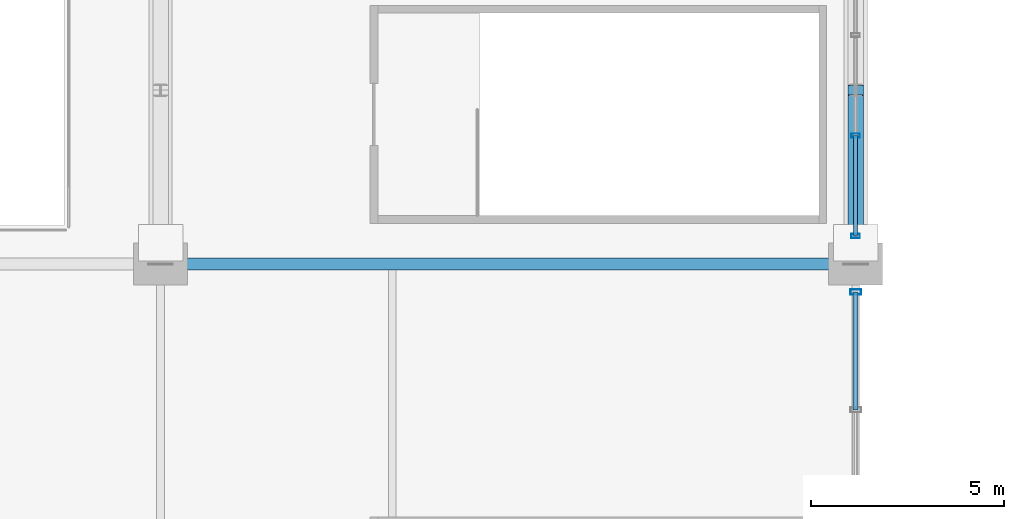
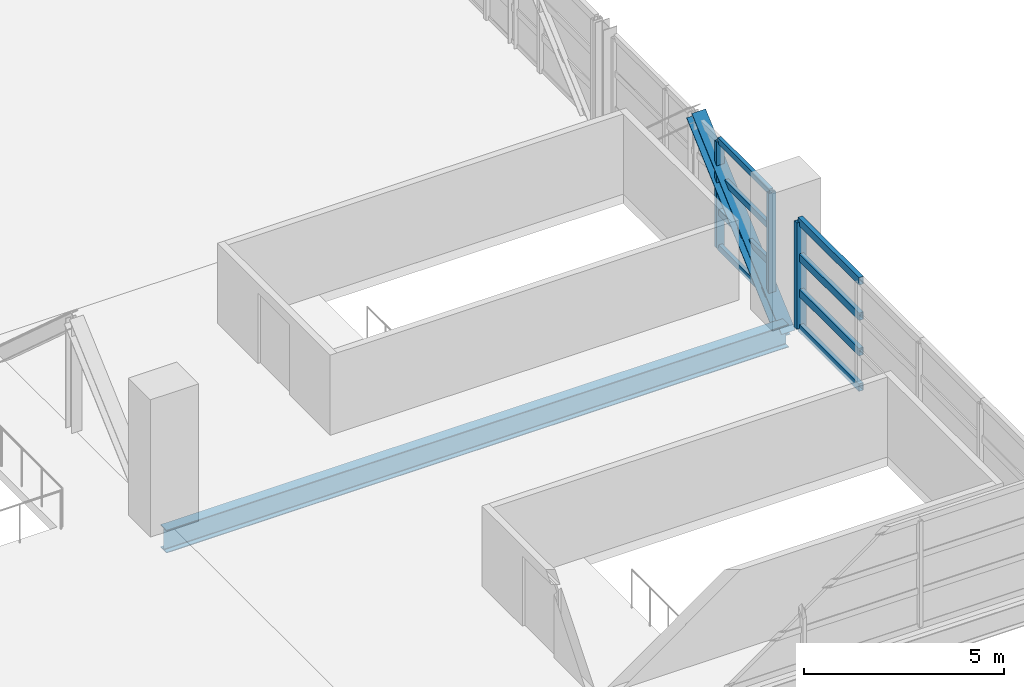
# One storey, part 41 of 136: 12 members, 1 beam, 2 elements without a shape of their own.
"""IFC4 building model written with IfcOpenShell, lengths in metres."""

import ifcopenshell
import ifcopenshell.guid

model = None  # the IFC model being written
_history = None  # IfcOwnerHistory: only IFC2X3 demands one
_inside = {}  # id of a spatial element -> (the spatial element, [elements in it])
_under = {}  # id of a project, library or spatial element -> (it, [spatial elements below it])
_declared = {}  # id of a project -> (the project, [libraries it declares])
_typed = {}  # id of a type object -> (the type object, [elements of that type])
_made_of = {}  # id of a material, layer set ... -> (it, [elements and type objects made of it])


def new_model(schema):
    """Start an empty IFC model of exactly this schema.

    Asked for "IFC4X3", IfcOpenShell would pick the latest addendum, in which some entities
    have other attributes; the version numbers below select the first issue.
    IFC2X3 requires an IfcOwnerHistory on every rooted entity: one is made here for all.
    """
    global model, _history
    if schema == "IFC4X3":
        model = ifcopenshell.file(schema_version=(4, 3, 0, 0))
    else:
        model = ifcopenshell.file(schema=schema)
    _inside.clear()
    _under.clear()
    _declared.clear()
    _typed.clear()
    _made_of.clear()
    _history = None
    if model.schema == "IFC2X3":
        org = make("IfcOrganization", Name="unknown")
        user = make(
            "IfcPersonAndOrganization",
            ThePerson=make("IfcPerson", FamilyName="unknown"),
            TheOrganization=org,
        )
        app = make(
            "IfcApplication",
            ApplicationDeveloper=org,
            Version="unknown",
            ApplicationFullName="unknown",
            ApplicationIdentifier="unknown",
        )
        _history = make(
            "IfcOwnerHistory",
            OwningUser=user,
            OwningApplication=app,
            ChangeAction="ADDED",
            CreationDate=0,
        )
    return model


def make(cls, **values):
    """One entity of the class cls with the attributes given. An attribute that is None is left unset."""
    return model.create_entity(
        cls, **{name: value for name, value in values.items() if value is not None}
    )


def rooted(cls, **values):
    """An entity with a GlobalId (a new one), such as an element, a storey or a relation."""
    return make(cls, GlobalId=ifcopenshell.guid.new(), OwnerHistory=_history, **values)


def si_unit(unit_type, name, prefix=None):
    """IfcSIUnit, for example si_unit("LENGTHUNIT", "METRE", prefix="MILLI")."""
    return make("IfcSIUnit", UnitType=unit_type, Prefix=prefix, Name=name)


def assignment(units):
    """IfcUnitAssignment: the units of a project."""
    return None if units is None else make("IfcUnitAssignment", Units=units)


def point(xyz):
    """IfcCartesianPoint."""
    return None if xyz is None else make("IfcCartesianPoint", Coordinates=xyz)


def direction(xyz):
    """IfcDirection."""
    return None if xyz is None else make("IfcDirection", DirectionRatios=xyz)


def frame(location, z_axis=None, x_axis=None):
    """IfcAxis2Placement3D, a coordinate frame: its origin and axes. An axis left out is left unset."""
    return make(
        "IfcAxis2Placement3D",
        Location=point(location),
        Axis=direction(z_axis),
        RefDirection=direction(x_axis),
    )


def frame_2d(location, x_axis=None):
    """IfcAxis2Placement2D, a coordinate frame in the plane: its origin and x axis."""
    return make(
        "IfcAxis2Placement2D", Location=point(location), RefDirection=direction(x_axis)
    )


def origin():
    """The frame at (0, 0, 0) with its axes left unset."""
    return frame((0.0, 0.0, 0.0))


def origin_2d():
    """The frame at (0, 0) in the plane with its x axis left unset."""
    return frame_2d((0.0, 0.0))


def place(relative_to, where):
    """IfcLocalPlacement: puts the frame where relative to a parent placement (None: the world)."""
    return make(
        "IfcLocalPlacement", PlacementRelTo=relative_to, RelativePlacement=where
    )


def context(
    kind, dimensions, precision=None, world=None, true_north=None, identifier=None
):
    """IfcGeometricRepresentationContext, for example the 3D "Model" context."""
    return make(
        "IfcGeometricRepresentationContext",
        ContextIdentifier=identifier,
        ContextType=kind,
        CoordinateSpaceDimension=dimensions,
        Precision=precision,
        WorldCoordinateSystem=world,
        TrueNorth=true_north,
    )


def subcontext(parent, identifier, kind, view, scale=None):
    """IfcGeometricRepresentationSubContext, for example "Body" below "Model"."""
    return make(
        "IfcGeometricRepresentationSubContext",
        ContextIdentifier=identifier,
        ContextType=kind,
        ParentContext=parent,
        TargetScale=scale,
        TargetView=view,
    )


def project(units=None, contexts=None):
    """IfcProject with its units and contexts."""
    return rooted(
        "IfcProject",
        Name="project",
        RepresentationContexts=contexts,
        UnitsInContext=assignment(units),
    )


def spatial(cls, under=None, at=None, **own):
    """A site, building, storey or space (cls), placed at a placement, below another one or the project."""
    s = rooted(cls, ObjectPlacement=at, **own)
    if under is not None:
        _under.setdefault(under.id(), (under, []))[1].append(s)
    return s


def profile(cls, at=None, kind="AREA", **sizes):
    """A parametric profile (cls). Its sizes go by their IFC names, for example OverallWidth=200.0."""
    return make(cls, ProfileType=kind, Position=at, **sizes)


def hollow_rectangle(**sizes):
    """IfcRectangleHollowProfileDef."""
    return profile("IfcRectangleHollowProfileDef", **sizes)


def i_section(**sizes):
    """IfcIShapeProfileDef."""
    return profile("IfcIShapeProfileDef", **sizes)


def extrude(swept, where, along, depth):
    """IfcExtrudedAreaSolid: the profile swept, set in the frame where, extruded along a direction by depth."""
    return make(
        "IfcExtrudedAreaSolid",
        SweptArea=swept,
        Position=where,
        ExtrudedDirection=direction(along),
        Depth=depth,
    )


def shape(context_of_items, identifier, shape_type, items):
    """IfcShapeRepresentation: the items that make up one representation, for example the "Body"."""
    return make(
        "IfcShapeRepresentation",
        ContextOfItems=context_of_items,
        RepresentationIdentifier=identifier,
        RepresentationType=shape_type,
        Items=items,
    )


def material(Name=None, Category=None):
    """IfcMaterial."""
    return make("IfcMaterial", Name=Name, Category=Category)


def material_profile(
    of_material, cross_section, Name=None, Category=None, Priority=None
):
    """IfcMaterialProfile: a cross section and its material."""
    return make(
        "IfcMaterialProfile",
        Name=Name,
        Material=of_material,
        Profile=cross_section,
        Priority=Priority,
        Category=Category,
    )


def profile_set(profiles, Name=None, composite=None):
    """IfcMaterialProfileSet."""
    return make(
        "IfcMaterialProfileSet",
        Name=Name,
        MaterialProfiles=profiles,
        CompositeProfile=composite,
    )


def made_of(thing, what):
    """Note that an element or type object is made of a material, layer set ...; save() writes the relation."""
    if what is not None:
        _made_of.setdefault(what.id(), (what, []))[1].append(thing)
    return thing


def type_object(cls, material=None, **own):
    """A type object (cls), such as IfcWallType, which elements share."""
    return made_of(rooted(cls, **own), material)


def element(
    cls,
    number,
    at=None,
    inside=None,
    cuts=None,
    type_object=None,
    material=None,
    context=None,
    identifier="Body",
    shape_type=None,
    held_by="IfcProductDefinitionShape",
    body=None,
    shapes=None,
    **own,
):
    """One element of the class cls, such as IfcWall. Its Tag is "e" and its number.

    at: its placement. inside: the storey or other place that contains it. cuts: it is an
    opening in that element (IfcRelVoidsElement). A single representation is given by context,
    identifier, shape_type and body (its items); several are given by shapes. held_by: the class
    of the entity that holds the representations. save() writes the other relations.
    """
    e = rooted(cls, Tag="e%d" % number, ObjectPlacement=at, **own)
    if body is not None:
        shapes = [shape(context, identifier, shape_type, body)]
    if shapes is not None:
        e.Representation = make(held_by, Representations=shapes)
    if inside is not None:
        _inside.setdefault(inside.id(), (inside, []))[1].append(e)
    if cuts is not None:
        rooted(
            "IfcRelVoidsElement", RelatingBuildingElement=cuts, RelatedOpeningElement=e
        )
    if type_object is not None:
        _typed.setdefault(type_object.id(), (type_object, []))[1].append(e)
    return made_of(e, material)


def aggregate(whole, parts):
    """IfcRelAggregates: a whole, such as a stair, and the parts it consists of."""
    return rooted("IfcRelAggregates", RelatingObject=whole, RelatedObjects=parts)


def save(model, path):
    """Write the relations noted so far, then the file.

    IfcRelAggregates (storeys below a building ...), IfcRelContainedInSpatialStructure (elements
    in a storey), IfcRelDefinesByType, IfcRelAssociatesMaterial and IfcRelDeclares: one each for
    every whole, place, type object, material and project.
    """
    for whole, parts in _under.values():
        aggregate(whole, parts)
    for where, things in _inside.values():
        rooted(
            "IfcRelContainedInSpatialStructure",
            RelatedElements=things,
            RelatingStructure=where,
        )
    for kind, things in _typed.values():
        rooted("IfcRelDefinesByType", RelatedObjects=things, RelatingType=kind)
    for what, things in _made_of.values():
        rooted("IfcRelAssociatesMaterial", RelatedObjects=things, RelatingMaterial=what)
    for by, libraries in _declared.values():
        rooted("IfcRelDeclares", RelatingContext=by, RelatedDefinitions=libraries)
    model.write(path)


model = new_model("IFC4")

# Units and contexts
model_context = context("Model", 3, precision=1e-05, world=origin(), true_north=direction((0.0, 1.0)))
body_context = subcontext(model_context, "Body", "Model", "MODEL_VIEW")
ifc_project = project(units=[si_unit("LENGTHUNIT", "METRE"), si_unit("AREAUNIT", "SQUARE_METRE"), si_unit("VOLUMEUNIT", "CUBIC_METRE"), si_unit("PLANEANGLEUNIT", "RADIAN"), si_unit("MASSUNIT", "GRAM", prefix="KILO")], contexts=[model_context])

# Site, building, storey
site_placement = place(None, origin())
site = spatial("IfcSite", under=ifc_project, at=site_placement, CompositionType="ELEMENT")
building_placement = place(site_placement, origin())
building = spatial("IfcBuilding", under=site, at=building_placement, Name="Chuanluo Vaults Station", CompositionType="ELEMENT")
storey_placement = place(building_placement, frame((0.0, 0.0, 6.60009765625)))
storey = spatial("IfcBuildingStorey", under=building, at=storey_placement, Name="L01", CompositionType="ELEMENT", Elevation=6.60009765625)

# Beam
ifc_material_1 = material(Name="Steel Q355C", Category="steel")
ifc_material_profile_1 = material_profile(ifc_material_1, i_section(OverallWidth=0.300048828125, OverallDepth=0.699951171875, WebThickness=0.012939453125, FlangeThickness=0.02392578125, FilletRadius=0.02197265625, at=origin_2d()))
ifc_profile_set_1 = profile_set([ifc_material_profile_1], Name="Steel Q355C")
beam_type = type_object("IfcBeamType", Name="BM-GRD-700", PredefinedType="USERDEFINED", material=ifc_profile_set_1)
beam_placement = place(storey_placement, frame((90.0, 67.5, -0.630126953125), z_axis=(1.0, 0.0, 0.0), x_axis=(0.0, 1.0, 0.0)))
element("IfcBeam", 1, at=beam_placement, inside=storey, type_object=beam_type, Name="Floor girder BM:GX:L01:0338", ObjectType="GIRDER", PredefinedType="USERDEFINED", context=body_context, shape_type="SweptSolid", body=[
    extrude(i_section(OverallWidth=0.300048828125, OverallDepth=0.699951171875, WebThickness=0.012939453125, FlangeThickness=0.02392578125, FilletRadius=0.02197265625, at=origin_2d()), origin(), (0.0, 0.0, 1.0), 18.0),
])

# Curtain wall, members
ifc_material_2 = material(Name="Anodised aluminium 6063-T6", Category="aluminium")
curtain_wall_type_1 = type_object("IfcCurtainWallType", Name="CW-SYS-24", PredefinedType="NOTDEFINED", material=ifc_material_2)
curtain_wall_1_placement = place(storey_placement, origin())
curtain_wall_1 = element("IfcCurtainWall", 2, at=curtain_wall_1_placement, inside=storey, type_object=curtain_wall_type_1, Name="Over-track east hall CW 67", PredefinedType="NOTDEFINED")
ifc_material_3 = material(Name="Anodised aluminium 6063-T6", Category="aluminium")
ifc_material_profile_2 = material_profile(ifc_material_3, hollow_rectangle(XDim=0.10498046875, YDim=0.219970703125, WallThickness=0.006103515625, at=origin_2d()))
ifc_profile_set_2 = profile_set([ifc_material_profile_2], Name="Anodised aluminium 6063-T6")
member_type_1 = type_object("IfcMemberType", Name="CWM-140", PredefinedType="MULLION", material=ifc_profile_set_2)
member_1_placement = place(storey_placement, frame((108.0, 70.824951171875, 0.0), z_axis=(0.0, 0.0, 1.0), x_axis=(0.0, -1.0, 0.0)))
member_1 = element("IfcMember", 3, at=member_1_placement, type_object=member_type_1, Name="Over-track east hall CW 67 mullion 3", PredefinedType="MULLION", context=body_context, shape_type="SweptSolid", body=[
    extrude(hollow_rectangle(XDim=0.10498046875, YDim=0.219970703125, WallThickness=0.006103515625, at=origin_2d()), origin(), (0.0, 0.0, 1.0), 3.25),
])
member_2_placement = place(storey_placement, frame((108.0, 68.22509765625, 0.0), z_axis=(0.0, 0.0, 1.0), x_axis=(0.0, -1.0, 0.0)))
member_2 = element("IfcMember", 4, at=member_2_placement, type_object=member_type_1, Name="Over-track east hall CW 67 mullion 4", PredefinedType="MULLION", context=body_context, shape_type="SweptSolid", body=[
    extrude(hollow_rectangle(XDim=0.10498046875, YDim=0.219970703125, WallThickness=0.006103515625, at=origin_2d()), origin(), (0.0, 0.0, 1.0), 3.25),
])

# Curtain wall, member
ifc_material_4 = material(Name="Anodised aluminium 6063-T6", Category="aluminium")
curtain_wall_type_2 = type_object("IfcCurtainWallType", Name="CW-SYS-22", PredefinedType="NOTDEFINED", material=ifc_material_4)
curtain_wall_2_placement = place(storey_placement, origin())
curtain_wall_2 = element("IfcCurtainWall", 5, at=curtain_wall_2_placement, inside=storey, type_object=curtain_wall_type_2, Name="Over-track east hall CW 54", PredefinedType="NOTDEFINED")
ifc_material_5 = material(Name="Anodised aluminium 6063-T6", Category="aluminium")
ifc_material_profile_3 = material_profile(ifc_material_5, hollow_rectangle(XDim=0.1298828125, YDim=0.280029296875, WallThickness=0.007080078125, at=origin_2d()))
ifc_profile_set_3 = profile_set([ifc_material_profile_3], Name="Anodised aluminium 6063-T6")
member_type_2 = type_object("IfcMemberType", Name="CWM-180", PredefinedType="MULLION", material=ifc_profile_set_3)
member_3_placement = place(storey_placement, frame((108.0, 66.77490234375, 0.0), z_axis=(0.0, 0.0, 1.0), x_axis=(0.0, -1.0, 0.0)))
member_3 = element("IfcMember", 6, at=member_3_placement, type_object=member_type_2, Name="Over-track east hall CW 54 mullion 1", PredefinedType="MULLION", context=body_context, shape_type="SweptSolid", body=[
    extrude(hollow_rectangle(XDim=0.1298828125, YDim=0.280029296875, WallThickness=0.007080078125, at=origin_2d()), origin(), (0.0, 0.0, 1.0), 3.25),
])

# Member
ifc_material_6 = material(Name="Anodised aluminium 6063-T6", Category="aluminium")
ifc_material_profile_4 = material_profile(ifc_material_6, hollow_rectangle(XDim=0.10498046875, YDim=0.18505859375, WallThickness=0.0048828125, at=origin_2d()))
ifc_profile_set_4 = profile_set([ifc_material_profile_4], Name="Anodised aluminium 6063-T6")
member_type_3 = type_object("IfcMemberType", Name="CWT-110", PredefinedType="USERDEFINED", material=ifc_profile_set_4)
member_4_placement = place(storey_placement, frame((108.0, 70.824951171875, 0.0), z_axis=(0.0, -1.0, 0.0), x_axis=(1.0, 0.0, 0.0)))
member_4 = element("IfcMember", 7, at=member_4_placement, type_object=member_type_3, Name="Over-track east hall CW 67 transom 3.1", ObjectType="TRANSOM", PredefinedType="USERDEFINED", context=body_context, shape_type="SweptSolid", body=[
    extrude(hollow_rectangle(XDim=0.10498046875, YDim=0.18505859375, WallThickness=0.0048828125, at=origin_2d()), origin(), (0.0, 0.0, 1.0), 2.599853515625),
])

member_5_placement = place(storey_placement, frame((108.0, 70.824951171875, 1.083251953125), z_axis=(0.0, -1.0, 0.0), x_axis=(1.0, 0.0, 0.0)))
member_5 = element("IfcMember", 8, at=member_5_placement, type_object=member_type_3, Name="Over-track east hall CW 67 transom 3.2", ObjectType="TRANSOM", PredefinedType="USERDEFINED", context=body_context, shape_type="SweptSolid", body=[
    extrude(hollow_rectangle(XDim=0.10498046875, YDim=0.18505859375, WallThickness=0.0048828125, at=origin_2d()), origin(), (0.0, 0.0, 1.0), 2.599853515625),
])

member_6_placement = place(storey_placement, frame((108.0, 70.824951171875, 2.16650390625), z_axis=(0.0, -1.0, 0.0), x_axis=(1.0, 0.0, 0.0)))
member_6 = element("IfcMember", 9, at=member_6_placement, type_object=member_type_3, Name="Over-track east hall CW 67 transom 3.3", ObjectType="TRANSOM", PredefinedType="USERDEFINED", context=body_context, shape_type="SweptSolid", body=[
    extrude(hollow_rectangle(XDim=0.10498046875, YDim=0.18505859375, WallThickness=0.0048828125, at=origin_2d()), origin(), (0.0, 0.0, 1.0), 2.599853515625),
])

member_7_placement = place(storey_placement, frame((108.0, 70.824951171875, 3.25), z_axis=(0.0, -1.0, 0.0), x_axis=(1.0, 0.0, 0.0)))
member_7 = element("IfcMember", 10, at=member_7_placement, type_object=member_type_3, Name="Over-track east hall CW 67 transom 3.4", ObjectType="TRANSOM", PredefinedType="USERDEFINED", context=body_context, shape_type="SweptSolid", body=[
    extrude(hollow_rectangle(XDim=0.10498046875, YDim=0.18505859375, WallThickness=0.0048828125, at=origin_2d()), origin(), (0.0, 0.0, 1.0), 2.599853515625),
])

aggregate(curtain_wall_1, [member_1, member_2, member_4, member_5, member_6, member_7])

ifc_material_7 = material(Name="Anodised aluminium 6063-T6", Category="aluminium")
ifc_material_profile_5 = material_profile(ifc_material_7, hollow_rectangle(XDim=0.1298828125, YDim=0.22998046875, WallThickness=0.006103515625, at=origin_2d()))
ifc_profile_set_5 = profile_set([ifc_material_profile_5], Name="Anodised aluminium 6063-T6")
member_type_4 = type_object("IfcMemberType", Name="CWT-150", PredefinedType="USERDEFINED", material=ifc_profile_set_5)
member_8_placement = place(storey_placement, frame((108.0, 66.77490234375, 0.0), z_axis=(0.0, -1.0, 0.0), x_axis=(1.0, 0.0, 0.0)))
member_8 = element("IfcMember", 11, at=member_8_placement, type_object=member_type_4, Name="Over-track east hall CW 54 transom 1.1", ObjectType="TRANSOM", PredefinedType="USERDEFINED", context=body_context, shape_type="SweptSolid", body=[
    extrude(hollow_rectangle(XDim=0.1298828125, YDim=0.22998046875, WallThickness=0.006103515625, at=origin_2d()), origin(), (0.0, 0.0, 1.0), 3.0498046875),
])

member_9_placement = place(storey_placement, frame((108.0, 66.77490234375, 1.083251953125), z_axis=(0.0, -1.0, 0.0), x_axis=(1.0, 0.0, 0.0)))
member_9 = element("IfcMember", 12, at=member_9_placement, type_object=member_type_4, Name="Over-track east hall CW 54 transom 1.2", ObjectType="TRANSOM", PredefinedType="USERDEFINED", context=body_context, shape_type="SweptSolid", body=[
    extrude(hollow_rectangle(XDim=0.1298828125, YDim=0.22998046875, WallThickness=0.006103515625, at=origin_2d()), origin(), (0.0, 0.0, 1.0), 3.0498046875),
])

member_10_placement = place(storey_placement, frame((108.0, 66.77490234375, 2.16650390625), z_axis=(0.0, -1.0, 0.0), x_axis=(1.0, 0.0, 0.0)))
member_10 = element("IfcMember", 13, at=member_10_placement, type_object=member_type_4, Name="Over-track east hall CW 54 transom 1.3", ObjectType="TRANSOM", PredefinedType="USERDEFINED", context=body_context, shape_type="SweptSolid", body=[
    extrude(hollow_rectangle(XDim=0.1298828125, YDim=0.22998046875, WallThickness=0.006103515625, at=origin_2d()), origin(), (0.0, 0.0, 1.0), 3.0498046875),
])

member_11_placement = place(storey_placement, frame((108.0, 66.77490234375, 3.25), z_axis=(0.0, -1.0, 0.0), x_axis=(1.0, 0.0, 0.0)))
member_11 = element("IfcMember", 14, at=member_11_placement, type_object=member_type_4, Name="Over-track east hall CW 54 transom 1.4", ObjectType="TRANSOM", PredefinedType="USERDEFINED", context=body_context, shape_type="SweptSolid", body=[
    extrude(hollow_rectangle(XDim=0.1298828125, YDim=0.22998046875, WallThickness=0.006103515625, at=origin_2d()), origin(), (0.0, 0.0, 1.0), 3.0498046875),
])

aggregate(curtain_wall_2, [member_3, member_8, member_9, member_10, member_11])

ifc_material_8 = material(Name="Steel Q390C", Category="steel")
ifc_material_profile_6 = material_profile(ifc_material_8, i_section(OverallWidth=0.39990234375, OverallDepth=0.407958984375, WebThickness=0.02099609375, FlangeThickness=0.02099609375, FilletRadius=0.02197265625, at=origin_2d()))
ifc_profile_set_6 = profile_set([ifc_material_profile_6], Name="Steel Q390C")
member_type_5 = type_object("IfcMemberType", Name="MEM-DIAG-408", PredefinedType="BRACE", material=ifc_profile_set_6)
member_12_placement = place(storey_placement, frame((108.0, 67.5, -0.68017578125), z_axis=(0.0, 0.744935757439, 0.667136205949), x_axis=(-1.0, 0.0, 0.0)))
element("IfcMember", 15, at=member_12_placement, inside=storey, type_object=member_type_5, Name="Transfer truss TT-7 diagonal 1A", PredefinedType="BRACE", context=body_context, shape_type="SweptSolid", body=[
    extrude(i_section(OverallWidth=0.39990234375, OverallDepth=0.407958984375, WebThickness=0.02099609375, FlangeThickness=0.02099609375, FilletRadius=0.02197265625, at=origin_2d()), origin(), (0.0, 0.0, 1.0), 6.040771484375),
])

save(model, "model.ifc")
